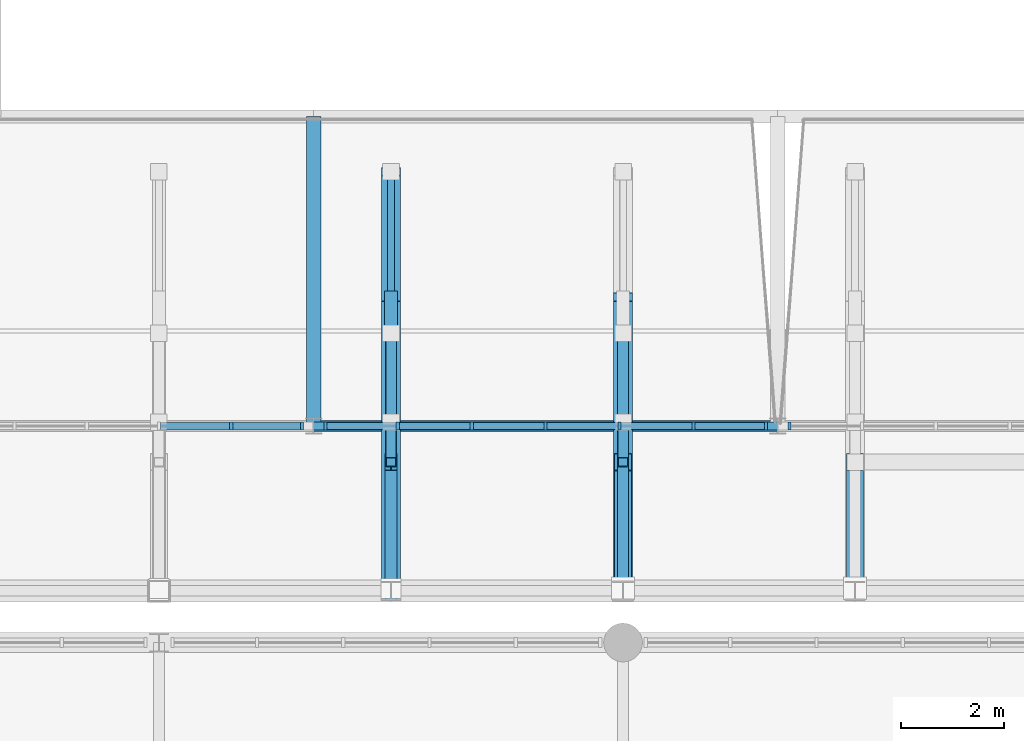
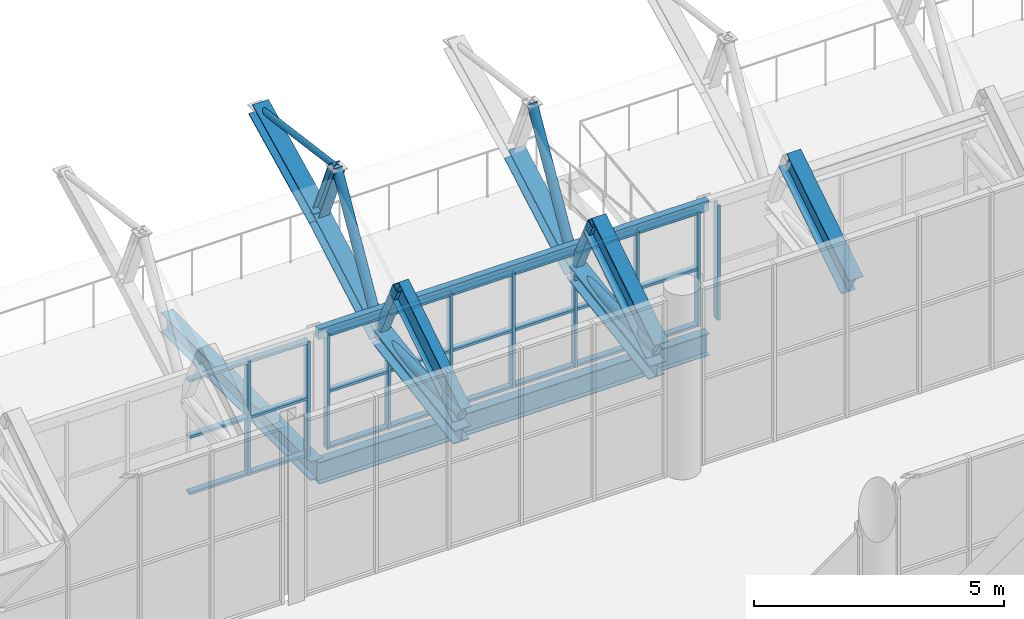
# One storey, part 59 of 134: 47 members, 6 beams, 3 elements without a shape of their own.
"""IFC4 building model written with IfcOpenShell, lengths in metres."""

from ifc_helpers import new_model, si_unit, direction, frame, origin, origin_2d, place, context, subcontext, project, spatial, rectangle, hollow_rectangle, hollow_circle, i_section, extrude, material, layer, layer_set, material_profile, profile_set, type_object, element, aggregate, save


model = new_model("IFC4")

# Units and contexts
model_context = context("Model", 3, precision=1e-05, world=origin(), true_north=direction((0.0, 1.0)))
body_context = subcontext(model_context, "Body", "Model", "MODEL_VIEW")
ifc_project = project(units=[si_unit("LENGTHUNIT", "METRE"), si_unit("AREAUNIT", "SQUARE_METRE"), si_unit("VOLUMEUNIT", "CUBIC_METRE"), si_unit("PLANEANGLEUNIT", "RADIAN"), si_unit("MASSUNIT", "GRAM", prefix="KILO")], contexts=[model_context])

# Site, building, storey
site_placement = place(None, origin())
site = spatial("IfcSite", under=ifc_project, at=site_placement, CompositionType="ELEMENT")
building_placement = place(site_placement, origin())
building = spatial("IfcBuilding", under=site, at=building_placement, Name="Cazmaro Siding Exhibition Halls", CompositionType="ELEMENT")
storey_placement = place(building_placement, frame((0.0, 0.0, 12.0)))
storey = spatial("IfcBuildingStorey", under=building, at=storey_placement, Name="L02", CompositionType="ELEMENT", Elevation=12.0)

# Beams
ifc_material_1 = material(Name="Steel ASTM A992 Grade 50", Category="steel")
ifc_material_profile_1 = material_profile(ifc_material_1, i_section(OverallWidth=0.327880859375, OverallDepth=0.626953125, WebThickness=0.01708984375, FlangeThickness=0.028076171875, at=origin_2d()), Name="W24X146")
ifc_profile_set_1 = profile_set([ifc_material_profile_1], Name="Steel ASTM A992 Grade 50")
beam_type_1 = type_object("IfcBeamType", Name="AR-01", PredefinedType="USERDEFINED", material=ifc_profile_set_1)
beam_1_placement = place(storey_placement, frame((72.0, 64.0, 2.300048828125), z_axis=(0.0, 0.843339173298, 0.537381650954), x_axis=(-1.0, 0.0, 0.0)))
element("IfcBeam", 1, at=beam_1_placement, inside=storey, type_object=beam_type_1, Name="Space frame barrel vault arched rib AR-01 BM-0679", ObjectType="ARCHED RIB", PredefinedType="USERDEFINED", context=body_context, shape_type="SweptSolid", body=[
    extrude(i_section(OverallWidth=0.327880859375, OverallDepth=0.626953125, WebThickness=0.01708984375, FlangeThickness=0.028076171875, at=origin_2d()), origin(), (0.0, 0.0, 1.0), 2.96435546875),
])
ifc_material_2 = material(Name="Steel ASTM A992 Grade 50", Category="steel")
ifc_material_profile_2 = material_profile(ifc_material_2, i_section(OverallWidth=0.324951171875, OverallDepth=0.612060546875, WebThickness=0.012939453125, FlangeThickness=0.01904296875, at=origin_2d()), Name="W24X104")
ifc_profile_set_2 = profile_set([ifc_material_profile_2], Name="Steel ASTM A992 Grade 50")
beam_type_2 = type_object("IfcBeamType", Name="AR-02", PredefinedType="USERDEFINED", material=ifc_profile_set_2)
beam_2_placement = place(storey_placement, frame((76.5, 64.0, 2.300048828125), z_axis=(0.0, 0.843339173298, 0.537381650954), x_axis=(-1.0, 0.0, 0.0)))
element("IfcBeam", 2, at=beam_2_placement, inside=storey, type_object=beam_type_2, Name="Space frame barrel vault arched rib AR-02 BM-0703", ObjectType="ARCHED RIB", PredefinedType="USERDEFINED", context=body_context, shape_type="SweptSolid", body=[
    extrude(i_section(OverallWidth=0.324951171875, OverallDepth=0.612060546875, WebThickness=0.012939453125, FlangeThickness=0.01904296875, at=origin_2d()), origin(), (0.0, 0.0, 1.0), 2.96435546875),
])
ifc_material_3 = material(Name="Steel ASTM A992 Grade 50", Category="steel")
ifc_material_profile_3 = material_profile(ifc_material_3, i_section(OverallWidth=0.22900390625, OverallDepth=0.612060546875, WebThickness=0.011962890625, FlangeThickness=0.02001953125, at=origin_2d()), Name="W24X84")
ifc_profile_set_3 = profile_set([ifc_material_profile_3], Name="Steel ASTM A992 Grade 50")
beam_type_3 = type_object("IfcBeamType", Name="AR-03", PredefinedType="USERDEFINED", material=ifc_profile_set_3)
beam_3_placement = place(storey_placement, frame((67.5, 64.0, 2.300048828125), z_axis=(0.0, 0.843339173298, 0.537381650954), x_axis=(-1.0, 0.0, 0.0)))
element("IfcBeam", 3, at=beam_3_placement, inside=storey, type_object=beam_type_3, Name="Space frame barrel vault arched rib AR-03 BM-0655", ObjectType="ARCHED RIB", PredefinedType="USERDEFINED", context=body_context, shape_type="SweptSolid", body=[
    extrude(i_section(OverallWidth=0.22900390625, OverallDepth=0.612060546875, WebThickness=0.011962890625, FlangeThickness=0.02001953125, at=origin_2d()), origin(), (0.0, 0.0, 1.0), 2.96435546875),
])
ifc_material_4 = material(Name="Steel ASTM A992 Grade 50", Category="steel")
ifc_material_profile_4 = material_profile(ifc_material_4, i_section(OverallWidth=0.2099609375, OverallDepth=0.535888671875, WebThickness=0.010986328125, FlangeThickness=0.01708984375, at=origin_2d()), Name="W21X68")
ifc_profile_set_4 = profile_set([ifc_material_profile_4], Name="Steel ASTM A992 Grade 50")
beam_type_4 = type_object("IfcBeamType", Name="B-02", PredefinedType="BEAM", material=ifc_profile_set_4)
beam_4_placement = place(storey_placement, frame((66.0, 67.199951171875, -0.488037109375), z_axis=(1.0, 0.0, 0.0), x_axis=(0.0, 1.0, 0.0)))
element("IfcBeam", 4, at=beam_4_placement, inside=storey, type_object=beam_type_4, Name="Beam B-02 BM-0453", PredefinedType="BEAM", context=body_context, shape_type="SweptSolid", body=[
    extrude(i_section(OverallWidth=0.2099609375, OverallDepth=0.535888671875, WebThickness=0.010986328125, FlangeThickness=0.01708984375, at=origin_2d()), origin(), (0.0, 0.0, 1.0), 9.0),
])
ifc_material_5 = material(Name="Steel ASTM A992 Grade 50", Category="steel")
ifc_material_profile_5 = material_profile(ifc_material_5, i_section(OverallWidth=0.279052734375, OverallDepth=0.4619140625, WebThickness=0.010986328125, FlangeThickness=0.01708984375, at=origin_2d()), Name="W18X76")
ifc_profile_set_5 = profile_set([ifc_material_profile_5], Name="Steel ASTM A992 Grade 50")
beam_type_5 = type_object("IfcBeamType", Name="B-03", PredefinedType="BEAM", material=ifc_profile_set_5)
beam_5_placement = place(storey_placement, frame((66.0, 67.199951171875, -0.450927734375), z_axis=(0.0, 1.0, 0.0), x_axis=(-1.0, 0.0, 0.0)))
element("IfcBeam", 5, at=beam_5_placement, inside=storey, type_object=beam_type_5, Name="Beam B-03 BM-0474", PredefinedType="BEAM", context=body_context, shape_type="SweptSolid", body=[
    extrude(i_section(OverallWidth=0.279052734375, OverallDepth=0.4619140625, WebThickness=0.010986328125, FlangeThickness=0.01708984375, at=origin_2d()), origin(), (0.0, 0.0, 1.0), 6.0),
])

# Curtain wall, members
ifc_material_6 = material(Name="Anodized Bronze Aluminum and Solar-Control Low-E Glazing", Category="aluminium")
ifc_layer = layer(ifc_material_6, 0.159912109375)
ifc_layer_set = layer_set([ifc_layer], Name="Anodized Bronze Aluminum and Solar-Control Low-E Glazing")
curtain_wall_type = type_object("IfcCurtainWallType", Name="CWS-04", PredefinedType="USERDEFINED", material=ifc_layer_set)
curtain_wall_1_placement = place(storey_placement, origin())
curtain_wall_1 = element("IfcCurtainWall", 6, at=curtain_wall_1_placement, inside=storey, type_object=curtain_wall_type, Name="Clerestory Curtain Wall CWS-04 CW-005", ObjectType="CLERESTORY CURTAIN WALL", PredefinedType="USERDEFINED")
ifc_material_7 = material(Name="Anodized Bronze Extruded Aluminum", Category="aluminium")
ifc_material_profile_6 = material_profile(ifc_material_7, rectangle(XDim=0.159912109375, YDim=0.06005859375, at=origin_2d()), Name="CWM-04")
ifc_profile_set_6 = profile_set([ifc_material_profile_6], Name="Anodized Bronze Extruded Aluminum")
member_type_1 = type_object("IfcMemberType", Name="CWM-04", PredefinedType="MULLION", material=ifc_profile_set_6)
member_1_placement = place(storey_placement, frame((64.402099609375, 67.199951171875, 0.0), z_axis=(0.0, 0.0, 1.0), x_axis=(0.0, 1.0, 0.0)))
member_1 = element("IfcMember", 7, at=member_1_placement, type_object=member_type_1, Name="CWS-04 mullion 6", PredefinedType="MULLION", context=body_context, shape_type="SweptSolid", body=[
    extrude(rectangle(XDim=0.159912109375, YDim=0.06005859375, at=origin_2d()), origin(), (0.0, 0.0, 1.0), 2.800048828125),
])
member_2_placement = place(storey_placement, frame((65.77294921875, 67.199951171875, 0.0), z_axis=(0.0, 0.0, 1.0), x_axis=(0.0, 1.0, 0.0)))
member_2 = element("IfcMember", 8, at=member_2_placement, type_object=member_type_1, Name="CWS-04 mullion 7", PredefinedType="MULLION", context=body_context, shape_type="SweptSolid", body=[
    extrude(rectangle(XDim=0.159912109375, YDim=0.06005859375, at=origin_2d()), origin(), (0.0, 0.0, 1.0), 2.800048828125),
])

curtain_wall_2_placement = place(storey_placement, origin())
curtain_wall_2 = element("IfcCurtainWall", 9, at=curtain_wall_2_placement, inside=storey, type_object=curtain_wall_type, Name="Clerestory Curtain Wall CWS-04 CW-008", ObjectType="CLERESTORY CURTAIN WALL", PredefinedType="USERDEFINED")
member_3_placement = place(storey_placement, frame((66.22705078125, 67.199951171875, 0.0), z_axis=(0.0, 0.0, 1.0), x_axis=(0.0, 1.0, 0.0)))
member_3 = element("IfcMember", 10, at=member_3_placement, type_object=member_type_1, Name="CWS-04 mullion 1", PredefinedType="MULLION", context=body_context, shape_type="SweptSolid", body=[
    extrude(rectangle(XDim=0.159912109375, YDim=0.06005859375, at=origin_2d()), origin(), (0.0, 0.0, 1.0), 2.800048828125),
])
member_4_placement = place(storey_placement, frame((67.63134765625, 67.199951171875, 0.0), z_axis=(0.0, 0.0, 1.0), x_axis=(0.0, 1.0, 0.0)))
member_4 = element("IfcMember", 11, at=member_4_placement, type_object=member_type_1, Name="CWS-04 mullion 2", PredefinedType="MULLION", context=body_context, shape_type="SweptSolid", body=[
    extrude(rectangle(XDim=0.159912109375, YDim=0.06005859375, at=origin_2d()), origin(), (0.0, 0.0, 1.0), 2.800048828125),
])
member_5_placement = place(storey_placement, frame((69.065673828125, 67.199951171875, 0.0), z_axis=(0.0, 0.0, 1.0), x_axis=(0.0, 1.0, 0.0)))
member_5 = element("IfcMember", 12, at=member_5_placement, type_object=member_type_1, Name="CWS-04 mullion 3", PredefinedType="MULLION", context=body_context, shape_type="SweptSolid", body=[
    extrude(rectangle(XDim=0.159912109375, YDim=0.06005859375, at=origin_2d()), origin(), (0.0, 0.0, 1.0), 2.800048828125),
])
member_6_placement = place(storey_placement, frame((70.5, 67.199951171875, 0.0), z_axis=(0.0, 0.0, 1.0), x_axis=(0.0, 1.0, 0.0)))
member_6 = element("IfcMember", 13, at=member_6_placement, type_object=member_type_1, Name="CWS-04 mullion 4", PredefinedType="MULLION", context=body_context, shape_type="SweptSolid", body=[
    extrude(rectangle(XDim=0.159912109375, YDim=0.06005859375, at=origin_2d()), origin(), (0.0, 0.0, 1.0), 2.800048828125),
])
member_7_placement = place(storey_placement, frame((71.934326171875, 67.199951171875, 0.0), z_axis=(0.0, 0.0, 1.0), x_axis=(0.0, 1.0, 0.0)))
member_7 = element("IfcMember", 14, at=member_7_placement, type_object=member_type_1, Name="CWS-04 mullion 5", PredefinedType="MULLION", context=body_context, shape_type="SweptSolid", body=[
    extrude(rectangle(XDim=0.159912109375, YDim=0.06005859375, at=origin_2d()), origin(), (0.0, 0.0, 1.0), 2.800048828125),
])
member_8_placement = place(storey_placement, frame((73.36865234375, 67.199951171875, 0.0), z_axis=(0.0, 0.0, 1.0), x_axis=(0.0, 1.0, 0.0)))
member_8 = element("IfcMember", 15, at=member_8_placement, type_object=member_type_1, Name="CWS-04 mullion 6", PredefinedType="MULLION", context=body_context, shape_type="SweptSolid", body=[
    extrude(rectangle(XDim=0.159912109375, YDim=0.06005859375, at=origin_2d()), origin(), (0.0, 0.0, 1.0), 2.800048828125),
])
member_9_placement = place(storey_placement, frame((74.77294921875, 67.199951171875, 0.0), z_axis=(0.0, 0.0, 1.0), x_axis=(0.0, 1.0, 0.0)))
member_9 = element("IfcMember", 16, at=member_9_placement, type_object=member_type_1, Name="CWS-04 mullion 7", PredefinedType="MULLION", context=body_context, shape_type="SweptSolid", body=[
    extrude(rectangle(XDim=0.159912109375, YDim=0.06005859375, at=origin_2d()), origin(), (0.0, 0.0, 1.0), 2.800048828125),
])

# Curtain wall, member
curtain_wall_3_placement = place(storey_placement, origin())
curtain_wall_3 = element("IfcCurtainWall", 17, at=curtain_wall_3_placement, inside=storey, type_object=curtain_wall_type, Name="Clerestory Curtain Wall CWS-04 CW-013", ObjectType="CLERESTORY CURTAIN WALL", PredefinedType="USERDEFINED")
member_10_placement = place(storey_placement, frame((75.22705078125, 67.199951171875, 0.0), z_axis=(0.0, 0.0, 1.0), x_axis=(0.0, 1.0, 0.0)))
member_10 = element("IfcMember", 18, at=member_10_placement, type_object=member_type_1, Name="CWS-04 mullion 1", PredefinedType="MULLION", context=body_context, shape_type="SweptSolid", body=[
    extrude(rectangle(XDim=0.159912109375, YDim=0.06005859375, at=origin_2d()), origin(), (0.0, 0.0, 1.0), 2.800048828125),
])
aggregate(curtain_wall_3, [member_10])

# Member
ifc_material_8 = material(Name="Anodized Bronze Extruded Aluminum", Category="aluminium")
ifc_material_profile_7 = material_profile(ifc_material_8, rectangle(XDim=0.139892578125, YDim=0.06005859375, at=origin_2d()), Name="CWT-04")
ifc_profile_set_7 = profile_set([ifc_material_profile_7], Name="Anodized Bronze Extruded Aluminum")
member_type_2 = type_object("IfcMemberType", Name="CWT-04", PredefinedType="MULLION", material=ifc_profile_set_7)
member_11_placement = place(storey_placement, frame((63.031005859375, 67.199951171875, 0.030029296875), z_axis=(1.0, 0.0, 0.0), x_axis=(0.0, 1.0, 0.0)))
member_11 = element("IfcMember", 19, at=member_11_placement, type_object=member_type_2, Name="CWS-04 transom 5.1", ObjectType="TRANSOM", PredefinedType="USERDEFINED", context=body_context, shape_type="SweptSolid", body=[
    extrude(rectangle(XDim=0.139892578125, YDim=0.06005859375, at=origin_2d()), origin(), (0.0, 0.0, 1.0), 1.341064453125),
])

member_12_placement = place(storey_placement, frame((63.031005859375, 67.199951171875, 1.39990234375), z_axis=(1.0, 0.0, 0.0), x_axis=(0.0, 1.0, 0.0)))
member_12 = element("IfcMember", 20, at=member_12_placement, type_object=member_type_2, Name="CWS-04 transom 5.2", ObjectType="TRANSOM", PredefinedType="USERDEFINED", context=body_context, shape_type="SweptSolid", body=[
    extrude(rectangle(XDim=0.139892578125, YDim=0.06005859375, at=origin_2d()), origin(), (0.0, 0.0, 1.0), 1.341064453125),
])

member_13_placement = place(storey_placement, frame((63.031005859375, 67.199951171875, 2.77001953125), z_axis=(1.0, 0.0, 0.0), x_axis=(0.0, 1.0, 0.0)))
member_13 = element("IfcMember", 21, at=member_13_placement, type_object=member_type_2, Name="CWS-04 transom 5.3", ObjectType="TRANSOM", PredefinedType="USERDEFINED", context=body_context, shape_type="SweptSolid", body=[
    extrude(rectangle(XDim=0.139892578125, YDim=0.06005859375, at=origin_2d()), origin(), (0.0, 0.0, 1.0), 1.341064453125),
])

member_14_placement = place(storey_placement, frame((64.431884765625, 67.199951171875, 0.030029296875), z_axis=(1.0, 0.0, 0.0), x_axis=(0.0, 1.0, 0.0)))
member_14 = element("IfcMember", 22, at=member_14_placement, type_object=member_type_2, Name="CWS-04 transom 6.1", ObjectType="TRANSOM", PredefinedType="USERDEFINED", context=body_context, shape_type="SweptSolid", body=[
    extrude(rectangle(XDim=0.139892578125, YDim=0.06005859375, at=origin_2d()), origin(), (0.0, 0.0, 1.0), 1.31103515625),
])

member_15_placement = place(storey_placement, frame((64.431884765625, 67.199951171875, 1.39990234375), z_axis=(1.0, 0.0, 0.0), x_axis=(0.0, 1.0, 0.0)))
member_15 = element("IfcMember", 23, at=member_15_placement, type_object=member_type_2, Name="CWS-04 transom 6.2", ObjectType="TRANSOM", PredefinedType="USERDEFINED", context=body_context, shape_type="SweptSolid", body=[
    extrude(rectangle(XDim=0.139892578125, YDim=0.06005859375, at=origin_2d()), origin(), (0.0, 0.0, 1.0), 1.31103515625),
])

member_16_placement = place(storey_placement, frame((64.431884765625, 67.199951171875, 2.77001953125), z_axis=(1.0, 0.0, 0.0), x_axis=(0.0, 1.0, 0.0)))
member_16 = element("IfcMember", 24, at=member_16_placement, type_object=member_type_2, Name="CWS-04 transom 6.3", ObjectType="TRANSOM", PredefinedType="USERDEFINED", context=body_context, shape_type="SweptSolid", body=[
    extrude(rectangle(XDim=0.139892578125, YDim=0.06005859375, at=origin_2d()), origin(), (0.0, 0.0, 1.0), 1.31103515625),
])

aggregate(curtain_wall_1, [member_1, member_2, member_11, member_12, member_13, member_14, member_15, member_16])

member_17_placement = place(storey_placement, frame((66.257080078125, 67.199951171875, 0.030029296875), z_axis=(1.0, 0.0, 0.0), x_axis=(0.0, 1.0, 0.0)))
member_17 = element("IfcMember", 25, at=member_17_placement, type_object=member_type_2, Name="CWS-04 transom 1.1", ObjectType="TRANSOM", PredefinedType="USERDEFINED", context=body_context, shape_type="SweptSolid", body=[
    extrude(rectangle(XDim=0.139892578125, YDim=0.06005859375, at=origin_2d()), origin(), (0.0, 0.0, 1.0), 1.34423828125),
])

member_18_placement = place(storey_placement, frame((66.257080078125, 67.199951171875, 1.39990234375), z_axis=(1.0, 0.0, 0.0), x_axis=(0.0, 1.0, 0.0)))
member_18 = element("IfcMember", 26, at=member_18_placement, type_object=member_type_2, Name="CWS-04 transom 1.2", ObjectType="TRANSOM", PredefinedType="USERDEFINED", context=body_context, shape_type="SweptSolid", body=[
    extrude(rectangle(XDim=0.139892578125, YDim=0.06005859375, at=origin_2d()), origin(), (0.0, 0.0, 1.0), 1.34423828125),
])

member_19_placement = place(storey_placement, frame((66.257080078125, 67.199951171875, 2.77001953125), z_axis=(1.0, 0.0, 0.0), x_axis=(0.0, 1.0, 0.0)))
member_19 = element("IfcMember", 27, at=member_19_placement, type_object=member_type_2, Name="CWS-04 transom 1.3", ObjectType="TRANSOM", PredefinedType="USERDEFINED", context=body_context, shape_type="SweptSolid", body=[
    extrude(rectangle(XDim=0.139892578125, YDim=0.06005859375, at=origin_2d()), origin(), (0.0, 0.0, 1.0), 1.34423828125),
])

member_20_placement = place(storey_placement, frame((67.661376953125, 67.199951171875, 0.030029296875), z_axis=(1.0, 0.0, 0.0), x_axis=(0.0, 1.0, 0.0)))
member_20 = element("IfcMember", 28, at=member_20_placement, type_object=member_type_2, Name="CWS-04 transom 2.1", ObjectType="TRANSOM", PredefinedType="USERDEFINED", context=body_context, shape_type="SweptSolid", body=[
    extrude(rectangle(XDim=0.139892578125, YDim=0.06005859375, at=origin_2d()), origin(), (0.0, 0.0, 1.0), 1.374267578125),
])

member_21_placement = place(storey_placement, frame((67.661376953125, 67.199951171875, 1.39990234375), z_axis=(1.0, 0.0, 0.0), x_axis=(0.0, 1.0, 0.0)))
member_21 = element("IfcMember", 29, at=member_21_placement, type_object=member_type_2, Name="CWS-04 transom 2.2", ObjectType="TRANSOM", PredefinedType="USERDEFINED", context=body_context, shape_type="SweptSolid", body=[
    extrude(rectangle(XDim=0.139892578125, YDim=0.06005859375, at=origin_2d()), origin(), (0.0, 0.0, 1.0), 1.374267578125),
])

member_22_placement = place(storey_placement, frame((67.661376953125, 67.199951171875, 2.77001953125), z_axis=(1.0, 0.0, 0.0), x_axis=(0.0, 1.0, 0.0)))
member_22 = element("IfcMember", 30, at=member_22_placement, type_object=member_type_2, Name="CWS-04 transom 2.3", ObjectType="TRANSOM", PredefinedType="USERDEFINED", context=body_context, shape_type="SweptSolid", body=[
    extrude(rectangle(XDim=0.139892578125, YDim=0.06005859375, at=origin_2d()), origin(), (0.0, 0.0, 1.0), 1.374267578125),
])

member_23_placement = place(storey_placement, frame((69.095703125, 67.199951171875, 0.030029296875), z_axis=(1.0, 0.0, 0.0), x_axis=(0.0, 1.0, 0.0)))
member_23 = element("IfcMember", 31, at=member_23_placement, type_object=member_type_2, Name="CWS-04 transom 3.1", ObjectType="TRANSOM", PredefinedType="USERDEFINED", context=body_context, shape_type="SweptSolid", body=[
    extrude(rectangle(XDim=0.139892578125, YDim=0.06005859375, at=origin_2d()), origin(), (0.0, 0.0, 1.0), 1.374267578125),
])

member_24_placement = place(storey_placement, frame((69.095703125, 67.199951171875, 1.39990234375), z_axis=(1.0, 0.0, 0.0), x_axis=(0.0, 1.0, 0.0)))
member_24 = element("IfcMember", 32, at=member_24_placement, type_object=member_type_2, Name="CWS-04 transom 3.2", ObjectType="TRANSOM", PredefinedType="USERDEFINED", context=body_context, shape_type="SweptSolid", body=[
    extrude(rectangle(XDim=0.139892578125, YDim=0.06005859375, at=origin_2d()), origin(), (0.0, 0.0, 1.0), 1.374267578125),
])

member_25_placement = place(storey_placement, frame((69.095703125, 67.199951171875, 2.77001953125), z_axis=(1.0, 0.0, 0.0), x_axis=(0.0, 1.0, 0.0)))
member_25 = element("IfcMember", 33, at=member_25_placement, type_object=member_type_2, Name="CWS-04 transom 3.3", ObjectType="TRANSOM", PredefinedType="USERDEFINED", context=body_context, shape_type="SweptSolid", body=[
    extrude(rectangle(XDim=0.139892578125, YDim=0.06005859375, at=origin_2d()), origin(), (0.0, 0.0, 1.0), 1.374267578125),
])

member_26_placement = place(storey_placement, frame((70.530029296875, 67.199951171875, 0.030029296875), z_axis=(1.0, 0.0, 0.0), x_axis=(0.0, 1.0, 0.0)))
member_26 = element("IfcMember", 34, at=member_26_placement, type_object=member_type_2, Name="CWS-04 transom 4.1", ObjectType="TRANSOM", PredefinedType="USERDEFINED", context=body_context, shape_type="SweptSolid", body=[
    extrude(rectangle(XDim=0.139892578125, YDim=0.06005859375, at=origin_2d()), origin(), (0.0, 0.0, 1.0), 1.374267578125),
])

member_27_placement = place(storey_placement, frame((70.530029296875, 67.199951171875, 1.39990234375), z_axis=(1.0, 0.0, 0.0), x_axis=(0.0, 1.0, 0.0)))
member_27 = element("IfcMember", 35, at=member_27_placement, type_object=member_type_2, Name="CWS-04 transom 4.2", ObjectType="TRANSOM", PredefinedType="USERDEFINED", context=body_context, shape_type="SweptSolid", body=[
    extrude(rectangle(XDim=0.139892578125, YDim=0.06005859375, at=origin_2d()), origin(), (0.0, 0.0, 1.0), 1.374267578125),
])

member_28_placement = place(storey_placement, frame((70.530029296875, 67.199951171875, 2.77001953125), z_axis=(1.0, 0.0, 0.0), x_axis=(0.0, 1.0, 0.0)))
member_28 = element("IfcMember", 36, at=member_28_placement, type_object=member_type_2, Name="CWS-04 transom 4.3", ObjectType="TRANSOM", PredefinedType="USERDEFINED", context=body_context, shape_type="SweptSolid", body=[
    extrude(rectangle(XDim=0.139892578125, YDim=0.06005859375, at=origin_2d()), origin(), (0.0, 0.0, 1.0), 1.374267578125),
])

member_29_placement = place(storey_placement, frame((71.96435546875, 67.199951171875, 0.030029296875), z_axis=(1.0, 0.0, 0.0), x_axis=(0.0, 1.0, 0.0)))
member_29 = element("IfcMember", 37, at=member_29_placement, type_object=member_type_2, Name="CWS-04 transom 5.1", ObjectType="TRANSOM", PredefinedType="USERDEFINED", context=body_context, shape_type="SweptSolid", body=[
    extrude(rectangle(XDim=0.139892578125, YDim=0.06005859375, at=origin_2d()), origin(), (0.0, 0.0, 1.0), 1.374267578125),
])

member_30_placement = place(storey_placement, frame((71.96435546875, 67.199951171875, 1.39990234375), z_axis=(1.0, 0.0, 0.0), x_axis=(0.0, 1.0, 0.0)))
member_30 = element("IfcMember", 38, at=member_30_placement, type_object=member_type_2, Name="CWS-04 transom 5.2", ObjectType="TRANSOM", PredefinedType="USERDEFINED", context=body_context, shape_type="SweptSolid", body=[
    extrude(rectangle(XDim=0.139892578125, YDim=0.06005859375, at=origin_2d()), origin(), (0.0, 0.0, 1.0), 1.374267578125),
])

member_31_placement = place(storey_placement, frame((71.96435546875, 67.199951171875, 2.77001953125), z_axis=(1.0, 0.0, 0.0), x_axis=(0.0, 1.0, 0.0)))
member_31 = element("IfcMember", 39, at=member_31_placement, type_object=member_type_2, Name="CWS-04 transom 5.3", ObjectType="TRANSOM", PredefinedType="USERDEFINED", context=body_context, shape_type="SweptSolid", body=[
    extrude(rectangle(XDim=0.139892578125, YDim=0.06005859375, at=origin_2d()), origin(), (0.0, 0.0, 1.0), 1.374267578125),
])

member_32_placement = place(storey_placement, frame((73.398681640625, 67.199951171875, 0.030029296875), z_axis=(1.0, 0.0, 0.0), x_axis=(0.0, 1.0, 0.0)))
member_32 = element("IfcMember", 40, at=member_32_placement, type_object=member_type_2, Name="CWS-04 transom 6.1", ObjectType="TRANSOM", PredefinedType="USERDEFINED", context=body_context, shape_type="SweptSolid", body=[
    extrude(rectangle(XDim=0.139892578125, YDim=0.06005859375, at=origin_2d()), origin(), (0.0, 0.0, 1.0), 1.34423828125),
])

member_33_placement = place(storey_placement, frame((73.398681640625, 67.199951171875, 1.39990234375), z_axis=(1.0, 0.0, 0.0), x_axis=(0.0, 1.0, 0.0)))
member_33 = element("IfcMember", 41, at=member_33_placement, type_object=member_type_2, Name="CWS-04 transom 6.2", ObjectType="TRANSOM", PredefinedType="USERDEFINED", context=body_context, shape_type="SweptSolid", body=[
    extrude(rectangle(XDim=0.139892578125, YDim=0.06005859375, at=origin_2d()), origin(), (0.0, 0.0, 1.0), 1.34423828125),
])

member_34_placement = place(storey_placement, frame((73.398681640625, 67.199951171875, 2.77001953125), z_axis=(1.0, 0.0, 0.0), x_axis=(0.0, 1.0, 0.0)))
member_34 = element("IfcMember", 42, at=member_34_placement, type_object=member_type_2, Name="CWS-04 transom 6.3", ObjectType="TRANSOM", PredefinedType="USERDEFINED", context=body_context, shape_type="SweptSolid", body=[
    extrude(rectangle(XDim=0.139892578125, YDim=0.06005859375, at=origin_2d()), origin(), (0.0, 0.0, 1.0), 1.34423828125),
])

aggregate(curtain_wall_2, [member_3, member_4, member_5, member_6, member_7, member_8, member_9, member_17, member_18, member_19, member_20, member_21, member_22, member_23, member_24, member_25, member_26, member_27, member_28, member_29, member_30, member_31, member_32, member_33, member_34])

# Beam
ifc_material_9 = material(Name="Steel ASTM A500 Grade C", Category="steel")
ifc_material_profile_8 = material_profile(ifc_material_9, hollow_rectangle(XDim=0.152099609375, YDim=0.25390625, WallThickness=0.011962890625, at=origin_2d()), Name="HSS10X6X1/2")
ifc_profile_set_8 = profile_set([ifc_material_profile_8], Name="Steel ASTM A500 Grade C")
beam_type_6 = type_object("IfcBeamType", Name="SP-02", PredefinedType="SPANDREL", material=ifc_profile_set_8)
beam_6_placement = place(storey_placement, frame((66.0, 67.199951171875, 2.873046875), z_axis=(1.0, 0.0, 0.0), x_axis=(0.0, 1.0, 0.0)))
element("IfcBeam", 43, at=beam_6_placement, inside=storey, type_object=beam_type_6, Name="Beam SP-02 BM-0233", PredefinedType="SPANDREL", context=body_context, shape_type="SweptSolid", body=[
    extrude(hollow_rectangle(XDim=0.152099609375, YDim=0.25390625, WallThickness=0.011962890625, at=origin_2d()), origin(), (0.0, 0.0, 1.0), 9.0),
])

# Members
ifc_material_10 = material(Name="Steel ASTM A992 Grade 50", Category="steel")
ifc_material_profile_9 = material_profile(ifc_material_10, i_section(OverallWidth=0.37109375, OverallDepth=0.364013671875, WebThickness=0.012939453125, FlangeThickness=0.02197265625, at=origin_2d()), Name="W14X109")
ifc_profile_set_9 = profile_set([ifc_material_profile_9], Name="Steel ASTM A992 Grade 50")
member_type_3 = type_object("IfcMemberType", Name="TC-06", PredefinedType="CHORD", material=ifc_profile_set_9)
member_35_placement = place(storey_placement, frame((67.5, 64.0, 1.800048828125), z_axis=(0.0, 0.988252010809, 0.152833121839), x_axis=(-1.0, 0.0, 0.0)))
element("IfcMember", 44, at=member_35_placement, inside=storey, type_object=member_type_3, Name="Space frame barrel vault bottom chord TC-06 MEM-0308", PredefinedType="CHORD", context=body_context, shape_type="SweptSolid", body=[
    extrude(i_section(OverallWidth=0.37109375, OverallDepth=0.364013671875, WebThickness=0.012939453125, FlangeThickness=0.02197265625, at=origin_2d()), origin(), (0.0, 0.0, 1.0), 3.309814453125),
])
member_36_placement = place(storey_placement, frame((67.5, 67.27099609375, 2.305908203125), z_axis=(0.0, 0.871222319466, 0.490888653428), x_axis=(-1.0, 0.0, 0.0)))
element("IfcMember", 45, at=member_36_placement, inside=storey, type_object=member_type_3, Name="Space frame barrel vault bottom chord TC-06 MEM-0310", PredefinedType="CHORD", context=body_context, shape_type="SweptSolid", body=[
    extrude(i_section(OverallWidth=0.37109375, OverallDepth=0.364013671875, WebThickness=0.012939453125, FlangeThickness=0.02197265625, at=origin_2d()), origin(), (0.0, 0.0, 1.0), 2.7890625),
])
member_37_placement = place(storey_placement, frame((67.5, 69.700927734375, 3.675048828125), z_axis=(0.0, 0.896077457924, 0.443897724033), x_axis=(-1.0, 0.0, 0.0)))
element("IfcMember", 46, at=member_37_placement, inside=storey, type_object=member_type_3, Name="Space frame barrel vault bottom chord TC-06 MEM-0312", PredefinedType="CHORD", context=body_context, shape_type="SweptSolid", body=[
    extrude(i_section(OverallWidth=0.37109375, OverallDepth=0.364013671875, WebThickness=0.012939453125, FlangeThickness=0.02197265625, at=origin_2d()), origin(), (0.0, 0.0, 1.0), 2.7119140625),
])
member_38_placement = place(storey_placement, frame((72.0, 64.0, 1.800048828125), z_axis=(0.0, 0.988252010809, 0.152833121839), x_axis=(-1.0, 0.0, 0.0)))
element("IfcMember", 47, at=member_38_placement, inside=storey, type_object=member_type_3, Name="Space frame barrel vault bottom chord TC-06 MEM-0379", PredefinedType="CHORD", context=body_context, shape_type="SweptSolid", body=[
    extrude(i_section(OverallWidth=0.37109375, OverallDepth=0.364013671875, WebThickness=0.012939453125, FlangeThickness=0.02197265625, at=origin_2d()), origin(), (0.0, 0.0, 1.0), 3.309814453125),
])
member_39_placement = place(storey_placement, frame((72.0, 67.27099609375, 2.305908203125), z_axis=(0.0, 0.871222319466, 0.490888653428), x_axis=(-1.0, 0.0, 0.0)))
element("IfcMember", 48, at=member_39_placement, inside=storey, type_object=member_type_3, Name="Space frame barrel vault bottom chord TC-06 MEM-0381", PredefinedType="CHORD", context=body_context, shape_type="SweptSolid", body=[
    extrude(i_section(OverallWidth=0.37109375, OverallDepth=0.364013671875, WebThickness=0.012939453125, FlangeThickness=0.02197265625, at=origin_2d()), origin(), (0.0, 0.0, 1.0), 2.7890625),
])
ifc_material_11 = material(Name="Steel ASTM A500 Grade C", Category="steel")
ifc_material_profile_10 = material_profile(ifc_material_11, hollow_rectangle(XDim=0.202880859375, YDim=0.202880859375, WallThickness=0.011962890625, at=origin_2d()), Name="HSS8X8X1/2")
ifc_profile_set_10 = profile_set([ifc_material_profile_10], Name="Steel ASTM A500 Grade C")
member_type_4 = type_object("IfcMemberType", Name="TP-01", PredefinedType="POST", material=ifc_profile_set_10)
for number, where, z_axis, x_axis, name in (
    (49, (67.5, 67.27099609375, 2.305908203125), (0.0, -0.436945543824, 0.89948796086), (1.0, 0.0, 0.0), "Space frame barrel vault post TP-01 MEM-0356"),
    (50, (72.0, 67.27099609375, 2.305908203125), (0.0, -0.436945543824, 0.89948796086), (1.0, 0.0, 0.0), "Space frame barrel vault post TP-01 MEM-0427"),
):
    element("IfcMember", number, at=place(storey_placement, frame(where, z_axis=z_axis, x_axis=x_axis)), inside=storey, type_object=member_type_4, Name=name, PredefinedType="POST", context=body_context, shape_type="SweptSolid", body=[
        extrude(hollow_rectangle(XDim=0.202880859375, YDim=0.202880859375, WallThickness=0.011962890625, at=origin_2d()), origin(), (0.0, 0.0, 1.0), 1.764404296875),
    ])
ifc_material_12 = material(Name="Steel ASTM A992 Grade 50", Category="steel")
ifc_material_profile_11 = material_profile(ifc_material_12, i_section(OverallWidth=0.25390625, OverallDepth=0.25390625, WebThickness=0.009033203125, FlangeThickness=0.013916015625, at=origin_2d()), Name="W10X49")
ifc_profile_set_11 = profile_set([ifc_material_profile_11], Name="Steel ASTM A992 Grade 50")
member_type_5 = type_object("IfcMemberType", Name="TP-04", PredefinedType="POST", material=ifc_profile_set_11)
member_40_placement = place(storey_placement, frame((67.5, 69.700927734375, 3.675048828125), z_axis=(0.0, -0.395865434272, 0.918308530913), x_axis=(1.0, 0.0, 0.0)))
element("IfcMember", 51, at=member_40_placement, inside=storey, type_object=member_type_5, Name="Space frame barrel vault post TP-04 MEM-0357", PredefinedType="POST", context=body_context, shape_type="SweptSolid", body=[
    extrude(i_section(OverallWidth=0.25390625, OverallDepth=0.25390625, WebThickness=0.009033203125, FlangeThickness=0.013916015625, at=origin_2d()), origin(), (0.0, 0.0, 1.0), 1.7705078125),
])
ifc_material_13 = material(Name="Steel ASTM A500 Grade C", Category="steel")
ifc_material_profile_12 = material_profile(ifc_material_13, hollow_circle(Radius=0.109619140625, WallThickness=0.012939453125, at=origin_2d()), Name="PIPE8XS")
ifc_profile_set_12 = profile_set([ifc_material_profile_12], Name="Steel ASTM A500 Grade C")
member_type_6 = type_object("IfcMemberType", Name="WB-01", PredefinedType="BRACE", material=ifc_profile_set_12)
member_41_placement = place(storey_placement, frame((67.5, 64.0, 2.300048828125), z_axis=(0.0, 0.999998395604, 0.001791309262), x_axis=(-1.0, 0.0, 0.0)))
element("IfcMember", 52, at=member_41_placement, inside=storey, type_object=member_type_6, Name="Space frame barrel vault diagonal WB-01 MEM-0309", PredefinedType="BRACE", context=body_context, shape_type="SweptSolid", body=[
    extrude(hollow_circle(Radius=0.109619140625, WallThickness=0.012939453125, at=origin_2d()), origin(), (0.0, 0.0, 1.0), 3.27099609375),
])
member_42_placement = place(storey_placement, frame((67.5, 67.27099609375, 2.305908203125), z_axis=(0.0, 0.499950595228, 0.866053925764), x_axis=(-1.0, 0.0, 0.0)))
element("IfcMember", 53, at=member_42_placement, inside=storey, type_object=member_type_6, Name="Space frame barrel vault diagonal WB-01 MEM-0311", PredefinedType="BRACE", context=body_context, shape_type="SweptSolid", body=[
    extrude(hollow_circle(Radius=0.109619140625, WallThickness=0.012939453125, at=origin_2d()), origin(), (0.0, 0.0, 1.0), 3.458251953125),
])
member_43_placement = place(storey_placement, frame((72.0, 64.0, 2.300048828125), z_axis=(0.0, 0.999998395604, 0.001791309262), x_axis=(-1.0, 0.0, 0.0)))
element("IfcMember", 54, at=member_43_placement, inside=storey, type_object=member_type_6, Name="Space frame barrel vault diagonal WB-01 MEM-0380", PredefinedType="BRACE", context=body_context, shape_type="SweptSolid", body=[
    extrude(hollow_circle(Radius=0.109619140625, WallThickness=0.012939453125, at=origin_2d()), origin(), (0.0, 0.0, 1.0), 3.27099609375),
])
member_44_placement = place(storey_placement, frame((72.0, 67.27099609375, 2.305908203125), z_axis=(0.0, 0.499950595228, 0.866053925764), x_axis=(-1.0, 0.0, 0.0)))
element("IfcMember", 55, at=member_44_placement, inside=storey, type_object=member_type_6, Name="Space frame barrel vault diagonal WB-01 MEM-0382", PredefinedType="BRACE", context=body_context, shape_type="SweptSolid", body=[
    extrude(hollow_circle(Radius=0.109619140625, WallThickness=0.012939453125, at=origin_2d()), origin(), (0.0, 0.0, 1.0), 3.458251953125),
])
ifc_material_14 = material(Name="Steel ASTM A500 Grade C", Category="steel")
ifc_material_profile_13 = material_profile(ifc_material_14, hollow_circle(Radius=0.070556640625, WallThickness=0.01904296875, at=origin_2d()), Name="PIPE5XXS")
ifc_profile_set_13 = profile_set([ifc_material_profile_13], Name="Steel ASTM A500 Grade C")
member_type_7 = type_object("IfcMemberType", Name="WB-07", PredefinedType="BRACE", material=ifc_profile_set_13)
member_45_placement = place(storey_placement, frame((67.5, 69.0, 5.301025390625), z_axis=(0.0, 0.991034510477, -0.133606134005), x_axis=(-1.0, 0.0, 0.0)))
element("IfcMember", 56, at=member_45_placement, inside=storey, type_object=member_type_7, Name="Space frame barrel vault diagonal WB-07 MEM-0313", PredefinedType="BRACE", context=body_context, shape_type="SweptSolid", body=[
    extrude(hollow_circle(Radius=0.070556640625, WallThickness=0.01904296875, at=origin_2d()), origin(), (0.0, 0.0, 1.0), 3.159423828125),
])

save(model, "model.ifc")
